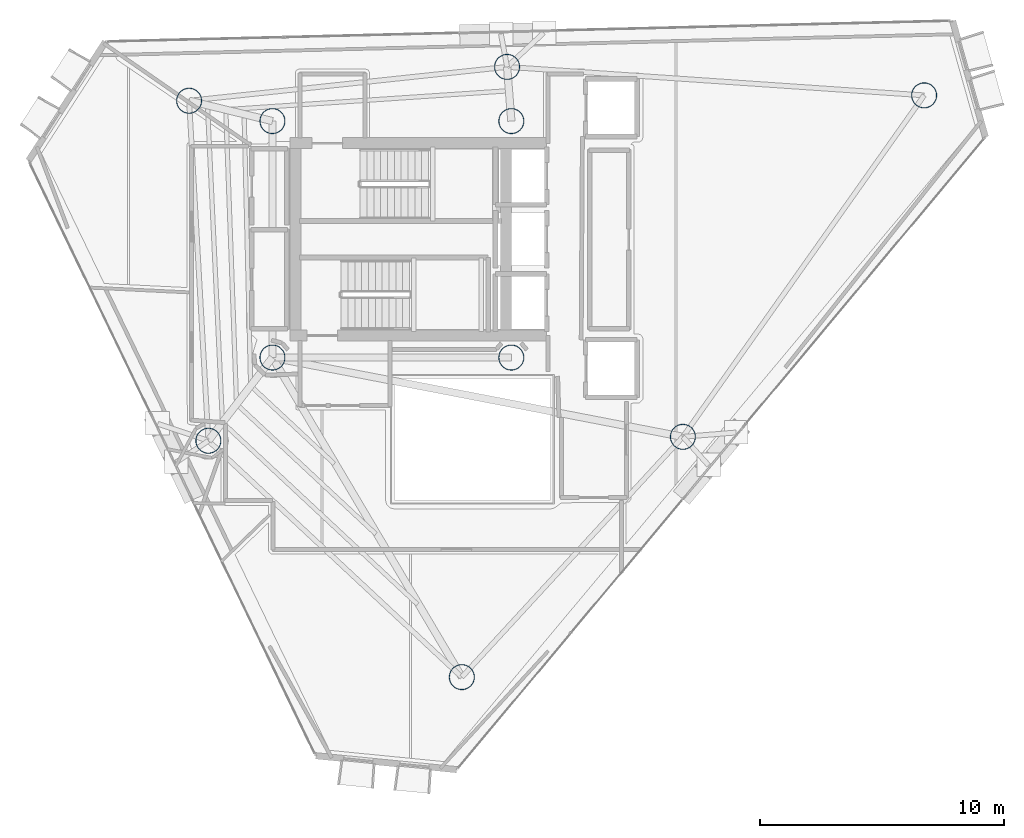
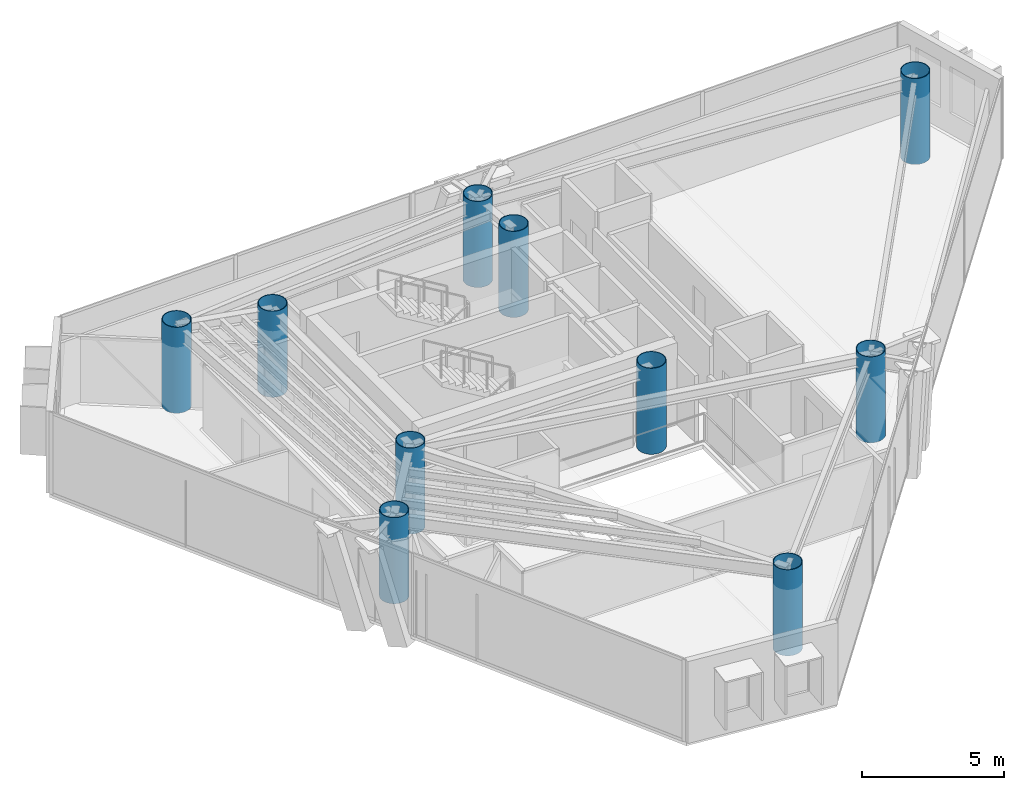
# One storey, part 1 of 20: 10 columns.
"""IFC4 building model written with IfcOpenShell, lengths in metres."""

from ifc_helpers import new_model, si_unit, direction, frame, origin, origin_2d, place, context, subcontext, project, spatial, hollow_circle, extrude, material, material_profile, profile_set, type_object, element, save


model = new_model("IFC4")

# Units and contexts
model_context = context("Model", 3, precision=1e-05, world=origin(), true_north=direction((0.0, 1.0)))
body_context = subcontext(model_context, "Body", "Model", "MODEL_VIEW")
ifc_project = project(units=[si_unit("LENGTHUNIT", "METRE"), si_unit("AREAUNIT", "SQUARE_METRE"), si_unit("VOLUMEUNIT", "CUBIC_METRE"), si_unit("PLANEANGLEUNIT", "RADIAN"), si_unit("MASSUNIT", "GRAM", prefix="KILO")], contexts=[model_context])

# Site, building, storey
site_placement = place(None, origin())
site = spatial("IfcSite", under=ifc_project, at=site_placement, CompositionType="ELEMENT")
building_placement = place(site_placement, origin())
building = spatial("IfcBuilding", under=site, at=building_placement, Name="Qianvela Tower", CompositionType="ELEMENT")
storey_placement = place(building_placement, frame((0.0, 0.0, 257.5)))
storey = spatial("IfcBuildingStorey", under=building, at=storey_placement, Name="L66", CompositionType="ELEMENT", Elevation=257.5)

# Columns
ifc_material = material(Name="Steel Q420GJC", Category="steel")
ifc_material_profile = material_profile(ifc_material, hollow_circle(Radius=0.52490234375, WallThickness=0.028076171875, at=origin_2d()), Name="CFT-1050x28")
ifc_profile_set = profile_set([ifc_material_profile], Name="Steel Q420GJC")
column_type = type_object("IfcColumnType", Name="COL-CFT-1050x28", PredefinedType="COLUMN", material=ifc_profile_set)
for number, where, z_axis, x_axis, name in (
    (1, (28.60009765625, 33.550048828125, 0.0), (0.0, 0.0, 1.0), (1.0, 0.0, 0.0), "L66 Core Corner Mega-Column CC-NW"),
    (2, (28.60009765625, 23.85009765625, 0.0), (0.0, 0.0, 1.0), (1.0, 0.0, 0.0), "L66 Core Corner Mega-Column CC-SW"),
    (3, (38.39990234375, 33.550048828125, 0.0), (0.0, 0.0, 1.0), (1.0, 0.0, 0.0), "L66 Core Corner Mega-Column CC-NE"),
    (4, (38.39990234375, 23.85009765625, 0.0), (0.0, 0.0, 1.0), (1.0, 0.0, 0.0), "L66 Core Corner Mega-Column CC-SE"),
    (5, (55.33203125, 34.60498046875, 0.0), (0.0, 0.0, 1.0), (1.0, 0.0, 0.0), "L66 Zone Z6 CFT Mega-Column C1"),
    (6, (38.22509765625, 35.77294921875, 0.0), (0.0, 0.0, 1.0), (1.0, 0.0, 0.0), "L66 Zone Z6 CFT Mega-Column C2"),
    (7, (25.181884765625, 34.384033203125, 0.0), (0.0, 0.0, 1.0), (1.0, 0.0, 0.0), "L66 Zone Z6 CFT Mega-Column C3"),
    (8, (25.971923828125, 20.43701171875, 0.0), (0.0, 0.0, 1.0), (1.0, 0.0, 0.0), "L66 Zone Z6 CFT Mega-Column C4"),
    (9, (36.368896484375, 10.741943359375, 0.0), (0.0, 0.0, 1.0), (1.0, 0.0, 0.0), "L66 Zone Z6 CFT Mega-Column C5"),
    (10, (45.43603515625, 20.597900390625, 0.0), (0.0, 0.0, 1.0), (1.0, 0.0, 0.0), "L66 Zone Z6 CFT Mega-Column C6"),
):
    element("IfcColumn", number, at=place(storey_placement, frame(where, z_axis=z_axis, x_axis=x_axis)), inside=storey, type_object=column_type, Name=name, PredefinedType="COLUMN", context=body_context, shape_type="SweptSolid", body=[
        extrude(hollow_circle(Radius=0.52490234375, WallThickness=0.028076171875, at=origin_2d()), origin(), (0.0, 0.0, 1.0), 3.699951171875),
    ])

save(model, "model.ifc")
